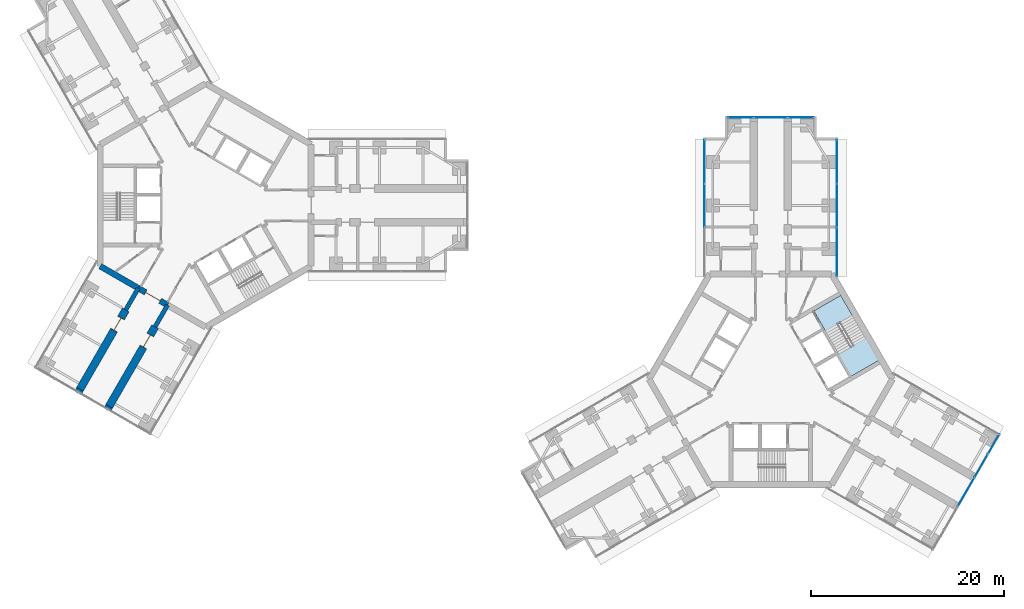
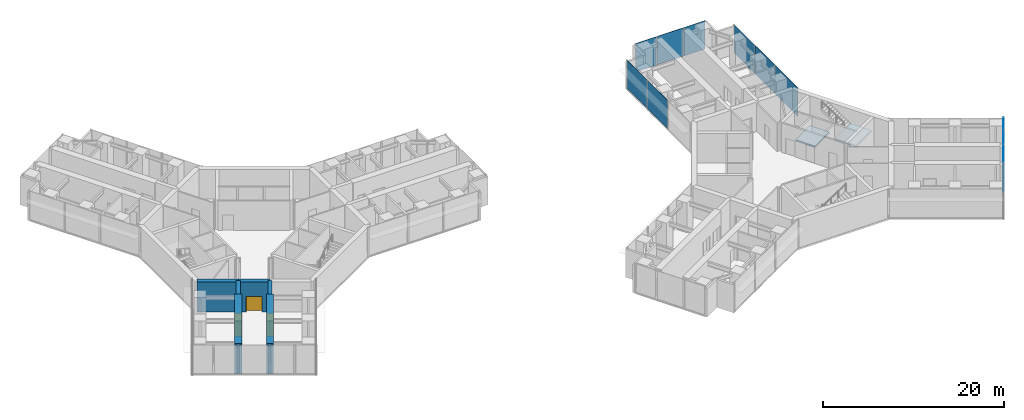
# One storey, part 14 of 21: 11 plates, 8 walls, 3 doors, 2 slabs, 3 openings, 5 elements without a shape of their own.
"""IFC4 building model written with IfcOpenShell, lengths in metres."""

from ifc_helpers import new_model, si_unit, direction, frame, frame_2d, origin, origin_2d, place, context, subcontext, project, spatial, polyline, rectangle, outline, extrude, material, layer, layer_set, type_object, element, fill, aggregate, save


model = new_model("IFC4")

# Units and contexts
model_context = context("Model", 3, precision=1e-05, world=origin(), true_north=direction((0.0, 1.0)))
body_context = subcontext(model_context, "Body", "Model", "MODEL_VIEW")
ifc_project = project(units=[si_unit("LENGTHUNIT", "METRE"), si_unit("AREAUNIT", "SQUARE_METRE"), si_unit("VOLUMEUNIT", "CUBIC_METRE"), si_unit("PLANEANGLEUNIT", "RADIAN"), si_unit("MASSUNIT", "GRAM", prefix="KILO")], contexts=[model_context])

# Site, building, storey
site_placement = place(None, origin())
site = spatial("IfcSite", under=ifc_project, at=site_placement, CompositionType="ELEMENT")
building_placement = place(site_placement, origin())
building = spatial("IfcBuilding", under=site, at=building_placement, Name="Upepo Twin Towers", CompositionType="ELEMENT")
storey_placement = place(building_placement, frame((0.0, 0.0, 105.5)))
storey = spatial("IfcBuildingStorey", under=building, at=storey_placement, Name="L25", CompositionType="ELEMENT", Elevation=105.5)

# Curtain wall, plates
ifc_material_1 = material(Name="Aluminium and fritted glass", Category="aluminium")
curtain_wall_type = type_object("IfcCurtainWallType", Name="Tower curtain wall TW2, fritted glass", PredefinedType="NOTDEFINED", material=ifc_material_1)
curtain_wall_1_placement = place(storey_placement, origin())
curtain_wall_1 = element("IfcCurtainWall", 1, at=curtain_wall_1_placement, inside=storey, type_object=curtain_wall_type, Name="T2 L25 wing A flank L curtain wall", PredefinedType="NOTDEFINED")
ifc_material_2 = material(Name="Ceramic-fritted laminated glass", Category="glass")
ifc_layer_1 = layer(ifc_material_2, 0.031982421875)
ifc_layer_set_1 = layer_set([ifc_layer_1], Name="Fritted glass panel, 35 per cent dot frit, 32 mm double glazed")
plate_type_1 = type_object("IfcPlateType", Name="Fritted glass panel, 35 per cent dot frit, 32 mm double glazed", PredefinedType="CURTAIN_PANEL", material=ifc_layer_set_1)
plate_1_placement = place(storey_placement, frame((51.64990234375, 0.0, 0.14990234375), z_axis=(0.0, 0.0, 1.0), x_axis=(0.0, 1.0, 0.0)))
plate_1 = element("IfcPlate", 2, at=plate_1_placement, type_object=plate_type_1, Name="T2 L25 wing A flank L curtain wall panel 2", PredefinedType="CURTAIN_PANEL", context=body_context, shape_type="SweptSolid", body=[
    extrude(rectangle(XDim=4.43505859375, YDim=0.031982421875, at=origin_2d()), origin(), (0.0, 0.0, 1.0), 3.85009765625),
])
plate_2_placement = place(storey_placement, frame((51.64990234375, 4.53369140625, 0.14990234375), z_axis=(0.0, 0.0, 1.0), x_axis=(0.0, 1.0, 0.0)))
plate_2 = element("IfcPlate", 3, at=plate_2_placement, type_object=plate_type_1, Name="T2 L25 wing A flank L curtain wall panel 3", PredefinedType="CURTAIN_PANEL", context=body_context, shape_type="SweptSolid", body=[
    extrude(rectangle(XDim=4.50244140625, YDim=0.031982421875, at=origin_2d()), origin(), (0.0, 0.0, 1.0), 3.85009765625),
])
aggregate(curtain_wall_1, [plate_1, plate_2])

curtain_wall_2_placement = place(storey_placement, origin())
curtain_wall_2 = element("IfcCurtainWall", 4, at=curtain_wall_2_placement, inside=storey, type_object=curtain_wall_type, Name="T2 L25 wing A flank R curtain wall", PredefinedType="NOTDEFINED")
plate_3_placement = place(storey_placement, frame((65.35009765625, 4.53369140625, 0.14990234375), z_axis=(0.0, 0.0, 1.0), x_axis=(0.0, -1.0, 0.0)))
plate_3 = element("IfcPlate", 5, at=plate_3_placement, type_object=plate_type_1, Name="T2 L25 wing A flank R curtain wall panel 1", PredefinedType="CURTAIN_PANEL", context=body_context, shape_type="SweptSolid", body=[
    extrude(rectangle(XDim=4.50244140625, YDim=0.031982421875, at=origin_2d()), origin(), (0.0, 0.0, 1.0), 3.85009765625),
])
plate_4_placement = place(storey_placement, frame((65.35009765625, 0.0, 0.14990234375), z_axis=(0.0, 0.0, 1.0), x_axis=(0.0, -1.0, 0.0)))
plate_4 = element("IfcPlate", 6, at=plate_4_placement, type_object=plate_type_1, Name="T2 L25 wing A flank R curtain wall panel 2", PredefinedType="CURTAIN_PANEL", context=body_context, shape_type="SweptSolid", body=[
    extrude(rectangle(XDim=4.43505859375, YDim=0.031982421875, at=origin_2d()), origin(), (0.0, 0.0, 1.0), 3.85009765625),
])
plate_5_placement = place(storey_placement, frame((65.35009765625, -4.815185546875, 0.14990234375), z_axis=(0.0, 0.0, 1.0), x_axis=(0.0, -1.0, 0.0)))
plate_5 = element("IfcPlate", 7, at=plate_5_placement, type_object=plate_type_1, Name="T2 L25 wing A flank R curtain wall panel 3", PredefinedType="CURTAIN_PANEL", context=body_context, shape_type="SweptSolid", body=[
    extrude(rectangle(XDim=5.0654296875, YDim=0.031982421875, at=origin_2d()), origin(), (0.0, 0.0, 1.0), 3.85009765625),
])
aggregate(curtain_wall_2, [plate_3, plate_4, plate_5])

# Curtain wall, plate
curtain_wall_3_placement = place(storey_placement, origin())
curtain_wall_3 = element("IfcCurtainWall", 8, at=curtain_wall_3_placement, inside=storey, type_object=curtain_wall_type, Name="T2 L25 wing A nose curtain wall", PredefinedType="NOTDEFINED")
plate_6_placement = place(storey_placement, frame((58.5, 9.10009765625, 0.14990234375), z_axis=(0.0, 0.0, 1.0), x_axis=(-1.0, 0.0, 0.0)))
plate_6 = element("IfcPlate", 9, at=plate_6_placement, type_object=plate_type_1, Name="T2 L25 wing A nose curtain wall panel 2", PredefinedType="CURTAIN_PANEL", context=body_context, shape_type="SweptSolid", body=[
    extrude(rectangle(XDim=3.43505859375, YDim=0.031982421875, at=origin_2d()), origin(), (0.0, 0.0, 1.0), 3.85009765625),
])

# Curtain wall, plates
curtain_wall_4_placement = place(storey_placement, origin())
curtain_wall_4 = element("IfcCurtainWall", 10, at=curtain_wall_4_placement, inside=storey, type_object=curtain_wall_type, Name="T2 L25 wing C nose curtain wall", PredefinedType="NOTDEFINED")
plate_7_placement = place(storey_placement, frame((78.7216796875, -29.675048828125, 0.14990234375), z_axis=(0.0, 0.0, 1.0), x_axis=(0.499999972355, 0.866025419745, 0.0)))
plate_7 = element("IfcPlate", 11, at=plate_7_placement, type_object=plate_type_1, Name="T2 L25 wing C nose curtain wall panel 3", PredefinedType="CURTAIN_PANEL", context=body_context, shape_type="SweptSolid", body=[
    extrude(rectangle(XDim=3.43505859375, YDim=0.031982421875, at=origin_2d()), origin(), (0.0, 0.0, 1.0), 3.85009765625),
])
plate_8_placement = place(storey_placement, frame((80.2841796875, -26.96875, 0.14990234375), z_axis=(0.0, 0.0, 1.0), x_axis=(0.499999972355, 0.866025419745, 0.0)))
plate_8 = element("IfcPlate", 12, at=plate_8_placement, type_object=plate_type_1, Name="T2 L25 wing C nose curtain wall panel 4", PredefinedType="CURTAIN_PANEL", context=body_context, shape_type="SweptSolid", body=[
    extrude(rectangle(XDim=2.68505859375, YDim=0.031982421875, at=origin_2d()), origin(), (0.0, 0.0, 1.0), 3.85009765625),
])

# Plate
ifc_material_3 = material(Name="Clear laminated glass in opening sash", Category="glass")
ifc_layer_2 = layer(ifc_material_3, 0.031982421875)
ifc_layer_set_2 = layer_set([ifc_layer_2], Name="Operable glass panel, 32 mm double glazed")
plate_type_2 = type_object("IfcPlateType", Name="Operable glass panel, 32 mm double glazed", PredefinedType="CURTAIN_PANEL", material=ifc_layer_set_2)
plate_9_placement = place(storey_placement, frame((61.608642578125, 9.10009765625, 0.14990234375), z_axis=(0.0, 0.0, 1.0), x_axis=(-1.0, 0.0, 0.0)))
plate_9 = element("IfcPlate", 13, at=plate_9_placement, type_object=plate_type_2, Name="T2 L25 wing A nose curtain wall panel 1", PredefinedType="CURTAIN_PANEL", context=body_context, shape_type="SweptSolid", body=[
    extrude(rectangle(XDim=2.652587890625, YDim=0.031982421875, at=origin_2d()), origin(), (0.0, 0.0, 1.0), 3.85009765625),
])

plate_10_placement = place(storey_placement, frame((55.391357421875, 9.10009765625, 0.14990234375), z_axis=(0.0, 0.0, 1.0), x_axis=(-1.0, 0.0, 0.0)))
plate_10 = element("IfcPlate", 14, at=plate_10_placement, type_object=plate_type_2, Name="T2 L25 wing A nose curtain wall panel 3", PredefinedType="CURTAIN_PANEL", context=body_context, shape_type="SweptSolid", body=[
    extrude(rectangle(XDim=2.652587890625, YDim=0.031982421875, at=origin_2d()), origin(), (0.0, 0.0, 1.0), 3.85009765625),
])

aggregate(curtain_wall_3, [plate_9, plate_6, plate_10])

plate_11_placement = place(storey_placement, frame((81.576171875, -24.73095703125, 0.14990234375), z_axis=(0.0, 0.0, 1.0), x_axis=(0.499999972355, 0.866025419745, 0.0)))
plate_11 = element("IfcPlate", 15, at=plate_11_placement, type_object=plate_type_2, Name="T2 L25 wing C nose curtain wall panel 5", PredefinedType="CURTAIN_PANEL", context=body_context, shape_type="SweptSolid", body=[
    extrude(rectangle(XDim=2.3525390625, YDim=0.031982421875, at=origin_2d()), origin(), (0.0, 0.0, 1.0), 3.85009765625),
])

aggregate(curtain_wall_4, [plate_7, plate_8, plate_11])

# Stair, slabs
ifc_material_4 = material(Name="Concrete C40/50", Category="concrete")
stair_type = type_object("IfcStairType", Name="Core stair, two flights", PredefinedType="HALF_TURN_STAIR", material=ifc_material_4)
stair_placement = place(storey_placement, origin())
stair = element("IfcStair", 16, at=stair_placement, inside=storey, type_object=stair_type, Name="T2 stair S2 L25", PredefinedType="HALF_TURN_STAIR")
ifc_material_5 = material(Name="Concrete C40/50", Category="concrete")
ifc_layer_3 = layer(ifc_material_5, 0.199951171875)
ifc_layer_set_3 = layer_set([ifc_layer_3], Name="Concrete C40/50")
slab_type = type_object("IfcSlabType", Name="Stair landing 200 RC", PredefinedType="LANDING", material=ifc_layer_set_3)
slab_1_placement = place(storey_placement, frame((0.0, 0.0, -0.199951171875)))
slab_1 = element("IfcSlab", 17, at=slab_1_placement, type_object=slab_type, Name="Stair S2 landing 1", PredefinedType="LANDING", context=body_context, shape_type="SweptSolid", body=[
    extrude(outline(polyline([(64.198486328125, -13.0703125), (66.97705078125, -11.466064453125), (65.737060546875, -9.318359375), (62.95849609375, -10.922607421875), (64.198486328125, -13.0703125)])), origin(), (0.0, 0.0, 1.0), 0.199951171875),
])
slab_2_placement = place(storey_placement, frame((0.0, 0.0, 1.800048828125)))
slab_2 = element("IfcSlab", 18, at=slab_2_placement, type_object=slab_type, Name="Stair S2 landing 2", PredefinedType="LANDING", context=body_context, shape_type="SweptSolid", body=[
    extrude(outline(polyline([(66.77197265625, -17.7275390625), (69.7236328125, -16.0234375), (68.36376953125, -13.667724609375), (65.411865234375, -15.371826171875), (66.77197265625, -17.7275390625)])), origin(), (0.0, 0.0, 1.0), 0.199951171875),
])
aggregate(stair, [slab_1, slab_2])

# Walls
ifc_material_6 = material(Name="Dense concrete blockwork", Category="masonry")
ifc_layer_4 = layer(ifc_material_6, 0.800048828125)
ifc_layer_set_4 = layer_set([ifc_layer_4], Name="Buttress closer 800, blockwork with fire-stopping to the curtain wall")
wall_type_1 = type_object("IfcWallType", Name="Buttress closer 800, blockwork with fire-stopping to the curtain wall", PredefinedType="PARTITIONING", material=ifc_layer_set_4)
for number, where, z_axis, x_axis, name in (
    (19, (-9.984375, -20.793701171875, 0.0), (0.0, 0.0, 1.0), (-0.500342721131, -0.865827443207, 0.0), "T1 L25 wing C buttress closer L"),
    (20, (-13.015625, -19.043701171875, 0.0), (0.0, 0.0, 1.0), (-0.500342721131, -0.865827443207, 0.0), "T1 L25 wing C buttress closer R"),
):
    element("IfcWall", number, at=place(storey_placement, frame(where, z_axis=z_axis, x_axis=x_axis)), inside=storey, type_object=wall_type_1, Name=name, PredefinedType="PARTITIONING", context=body_context, shape_type="SweptSolid", body=[
        extrude(rectangle(XDim=0.249755859375, YDim=0.800048828125, at=frame_2d((0.125, 0.0))), origin(), (0.0, 0.0, 1.0), 3.800048828125),
    ])
ifc_material_7 = material(Name="Concrete C60/75", Category="concrete")
ifc_layer_5 = layer(ifc_material_7, 0.449951171875)
ifc_layer_set_5 = layer_set([ifc_layer_5], Name="Concrete C60/75")
wall_type_2 = type_object("IfcWallType", Name="Buttress wall 450 RC", PredefinedType="SHEAR", material=ifc_layer_set_5)
for number, where, z_axis, x_axis, name in (
    (21, (-3.938720703125, -10.32177734375, 0.0), (0.0, 0.0, 1.0), (-0.499918158782, -0.866072649678, 0.0), "T1 wing C buttress wall L"),
    (22, (-6.9697265625, -8.57177734375, 0.0), (0.0, 0.0, 1.0), (-0.499988811324, -0.866031863473, 0.0), "T1 wing C buttress wall R"),
):
    element("IfcWall", number, at=place(storey_placement, frame(where, z_axis=z_axis, x_axis=x_axis)), inside=storey, type_object=wall_type_2, Name=name, PredefinedType="SHEAR", context=body_context, shape_type="SweptSolid", body=[
        extrude(rectangle(XDim=2.591796875, YDim=0.449951171875, at=frame_2d((1.2958984375, 0.0))), origin(), (0.0, 0.0, 1.0), 4.0),
    ])

# Wall, opening, door
ifc_material_8 = material(Name="Concrete C60/75", Category="concrete")
ifc_layer_6 = layer(ifc_material_8, 0.800048828125)
ifc_layer_set_6 = layer_set([ifc_layer_6], Name="Concrete C60/75")
wall_type_3 = type_object("IfcWallType", Name="Buttress wall 800 RC", PredefinedType="SHEAR", material=ifc_layer_set_6)
wall_1_placement = place(storey_placement, frame((-5.234375, -12.56640625, 0.0), z_axis=(0.0, 0.0, 1.0), x_axis=(-0.499997557548, -0.86602681393, 0.0)))
wall_1 = element("IfcWall", 23, at=wall_1_placement, inside=storey, type_object=wall_type_3, Name="T1 wing C buttress wall L part 2", PredefinedType="SHEAR", context=body_context, shape_type="SweptSolid", body=[
    extrude(rectangle(XDim=9.5, YDim=0.800048828125, at=frame_2d((4.75, 0.0))), origin(), (0.0, 0.0, 1.0), 4.0),
])
opening_1_placement = place(wall_1_placement, frame((0.949951171875, 0.0, 0.0)))
opening_1 = element("IfcOpeningElement", 24, at=opening_1_placement, cuts=wall_1, Name="Opening D13", PredefinedType="OPENING", context=body_context, shape_type="SweptSolid", body=[
    extrude(rectangle(XDim=1.5, YDim=2.10009765625, at=frame_2d((0.75, 1.050048828125))), frame((0.0, 0.409912109375, 0.0), z_axis=(0.0, -1.0, 0.0), x_axis=(1.0, 0.0, 0.0)), (0.0, 0.0, 1.0), 0.820068359375),
])
ifc_material_9 = material(Name="Timber doorset", Category="wood")
door_type_1 = type_object("IfcDoorType", Name="Double door 1500 FD30", OperationType="DOUBLE_DOOR_SINGLE_SWING", PredefinedType="DOOR", material=ifc_material_9)
door_1_placement = place(opening_1_placement, origin())
door_1 = element("IfcDoor", 25, at=door_1_placement, inside=storey, type_object=door_type_1, Name="T1 L25 laboratory prep room door", OperationType="DOUBLE_DOOR_SINGLE_SWING", OverallHeight=2.10009765625, OverallWidth=1.5, PredefinedType="DOOR", context=body_context, shape_type="SweptSolid", body=[
    extrude(rectangle(XDim=1.42, YDim=2.06009765625, at=frame_2d((0.75, 1.030029296875))), frame((0.0, 0.02490234375, 0.0), z_axis=(0.0, -1.0, 0.0), x_axis=(1.0, 0.0, 0.0)), (0.0, 0.0, 1.0), 0.050048828125),
    extrude(rectangle(XDim=0.04, YDim=2.10009765625, at=frame_2d((0.02001953125, 1.050048828125))), frame((0.0, 0.39990234375, 0.0), z_axis=(0.0, -1.0, 0.0), x_axis=(1.0, 0.0, 0.0)), (0.0, 0.0, 1.0), 0.799560546875),
    extrude(rectangle(XDim=0.04, YDim=2.10009765625, at=frame_2d((1.47998046875, 1.050048828125))), frame((0.0, 0.39990234375, 0.0), z_axis=(0.0, -1.0, 0.0), x_axis=(1.0, 0.0, 0.0)), (0.0, 0.0, 1.0), 0.799560546875),
    extrude(rectangle(XDim=1.42, YDim=0.04, at=frame_2d((0.75, 2.080078125))), frame((0.0, 0.39990234375, 0.0), z_axis=(0.0, -1.0, 0.0), x_axis=(1.0, 0.0, 0.0)), (0.0, 0.0, 1.0), 0.799560546875),
])
fill(opening_1, door_1)

wall_2_placement = place(storey_placement, frame((-8.265625, -10.81640625, 0.0), z_axis=(0.0, 0.0, 1.0), x_axis=(-0.499997557548, -0.86602681393, 0.0)))
wall_2 = element("IfcWall", 26, at=wall_2_placement, inside=storey, type_object=wall_type_3, Name="T1 wing C buttress wall R part 2", PredefinedType="SHEAR", context=body_context, shape_type="SweptSolid", body=[
    extrude(rectangle(XDim=9.5, YDim=0.800048828125, at=frame_2d((4.75, 0.0))), origin(), (0.0, 0.0, 1.0), 4.0),
])
opening_2_placement = place(wall_2_placement, frame((0.949951171875, 0.0, 0.0)))
opening_2 = element("IfcOpeningElement", 27, at=opening_2_placement, cuts=wall_2, Name="Opening D13", PredefinedType="OPENING", context=body_context, shape_type="SweptSolid", body=[
    extrude(rectangle(XDim=1.5, YDim=2.10009765625, at=frame_2d((0.75, 1.050048828125))), frame((0.0, 0.409912109375, 0.0), z_axis=(0.0, -1.0, 0.0), x_axis=(1.0, 0.0, 0.0)), (0.0, 0.0, 1.0), 0.820068359375),
])
door_2_placement = place(opening_2_placement, origin())
door_2 = element("IfcDoor", 28, at=door_2_placement, inside=storey, type_object=door_type_1, Name="T1 L25 laboratory prep room door", OperationType="DOUBLE_DOOR_SINGLE_SWING", OverallHeight=2.10009765625, OverallWidth=1.5, PredefinedType="DOOR", context=body_context, shape_type="SweptSolid", body=[
    extrude(rectangle(XDim=1.42, YDim=2.06009765625, at=frame_2d((0.75, 1.030029296875))), frame((0.0, 0.02490234375, 0.0), z_axis=(0.0, -1.0, 0.0), x_axis=(1.0, 0.0, 0.0)), (0.0, 0.0, 1.0), 0.050048828125),
    extrude(rectangle(XDim=0.04, YDim=2.10009765625, at=frame_2d((0.02001953125, 1.050048828125))), frame((0.0, 0.39990234375, 0.0), z_axis=(0.0, -1.0, 0.0), x_axis=(1.0, 0.0, 0.0)), (0.0, 0.0, 1.0), 0.799560546875),
    extrude(rectangle(XDim=0.04, YDim=2.10009765625, at=frame_2d((1.47998046875, 1.050048828125))), frame((0.0, 0.39990234375, 0.0), z_axis=(0.0, -1.0, 0.0), x_axis=(1.0, 0.0, 0.0)), (0.0, 0.0, 1.0), 0.799560546875),
    extrude(rectangle(XDim=1.42, YDim=0.04, at=frame_2d((0.75, 2.080078125))), frame((0.0, 0.39990234375, 0.0), z_axis=(0.0, -1.0, 0.0), x_axis=(1.0, 0.0, 0.0)), (0.0, 0.0, 1.0), 0.799560546875),
])
fill(opening_2, door_2)

# Wall
ifc_material_10 = material(Name="Concrete C60/75", Category="concrete")
ifc_layer_7 = layer(ifc_material_10, 0.60009765625)
ifc_layer_set_7 = layer_set([ifc_layer_7], Name="Concrete C60/75")
wall_type_4 = type_object("IfcWallType", Name="Core wall 600 RC", PredefinedType="SHEAR", material=ifc_layer_set_7)
wall_3_placement = place(storey_placement, frame((-10.908447265625, -6.2978515625, 0.0), z_axis=(0.0, 0.0, 1.0), x_axis=(0.866034513004, -0.499984222037, 0.0)))
element("IfcWall", 29, at=wall_3_placement, inside=storey, type_object=wall_type_4, Name="T1 core wall 240 R", PredefinedType="SHEAR", context=body_context, shape_type="SweptSolid", body=[
    extrude(rectangle(XDim=4.548095703125, YDim=0.60009765625, at=frame_2d((2.27392578125, 0.0))), origin(), (0.0, 0.0, 1.0), 4.0),
])

# Wall, opening, door
wall_4_placement = place(storey_placement, frame((-6.9697265625, -8.57177734375, 0.0), z_axis=(0.0, 0.0, 1.0), x_axis=(0.866019471182, -0.500010275428, 0.0)))
wall_4 = element("IfcWall", 30, at=wall_4_placement, inside=storey, type_object=wall_type_4, Name="T1 core wall 240", PredefinedType="SHEAR", context=body_context, shape_type="SweptSolid", body=[
    extrude(rectangle(XDim=3.5, YDim=0.60009765625, at=frame_2d((1.75, 0.0))), origin(), (0.0, 0.0, 1.0), 4.0),
])
opening_3_placement = place(wall_4_placement, frame((0.85009765625, 0.0, 0.0)))
opening_3 = element("IfcOpeningElement", 31, at=opening_3_placement, cuts=wall_4, Name="Opening D2", PredefinedType="OPENING", context=body_context, shape_type="SweptSolid", body=[
    extrude(rectangle(XDim=1.800048828125, YDim=2.10009765625, at=frame_2d((0.89990234375, 1.050048828125))), frame((0.0, 0.31005859375, 0.0), z_axis=(0.0, -1.0, 0.0), x_axis=(1.0, 0.0, 0.0)), (0.0, 0.0, 1.0), 0.6201171875),
])
ifc_material_11 = material(Name="Timber doorset", Category="wood")
door_type_2 = type_object("IfcDoorType", Name="Corridor double door 1800 FD60", OperationType="DOUBLE_DOOR_DOUBLE_SWING", PredefinedType="DOOR", material=ifc_material_11)
door_3_placement = place(opening_3_placement, origin())
door_3 = element("IfcDoor", 32, at=door_3_placement, inside=storey, type_object=door_type_2, Name="T1 L25 wing C corridor door", OperationType="DOUBLE_DOOR_DOUBLE_SWING", OverallHeight=2.10009765625, OverallWidth=1.800048828125, PredefinedType="DOOR", context=body_context, shape_type="SweptSolid", body=[
    extrude(rectangle(XDim=1.720048828125, YDim=2.06009765625, at=frame_2d((0.89990234375, 1.030029296875))), frame((0.0, 0.02490234375, 0.0), z_axis=(0.0, -1.0, 0.0), x_axis=(1.0, 0.0, 0.0)), (0.0, 0.0, 1.0), 0.050048828125),
    extrude(rectangle(XDim=0.04, YDim=2.10009765625, at=frame_2d((0.02001953125, 1.050048828125))), frame((0.0, 0.2998046875, 0.0), z_axis=(0.0, -1.0, 0.0), x_axis=(1.0, 0.0, 0.0)), (0.0, 0.0, 1.0), 0.599609375),
    extrude(rectangle(XDim=0.04, YDim=2.10009765625, at=frame_2d((1.780029296875, 1.050048828125))), frame((0.0, 0.2998046875, 0.0), z_axis=(0.0, -1.0, 0.0), x_axis=(1.0, 0.0, 0.0)), (0.0, 0.0, 1.0), 0.599609375),
    extrude(rectangle(XDim=1.720048828125, YDim=0.04, at=frame_2d((0.89990234375, 2.080078125))), frame((0.0, 0.2998046875, 0.0), z_axis=(0.0, -1.0, 0.0), x_axis=(1.0, 0.0, 0.0)), (0.0, 0.0, 1.0), 0.599609375),
])
fill(opening_3, door_3)

save(model, "model.ifc")
